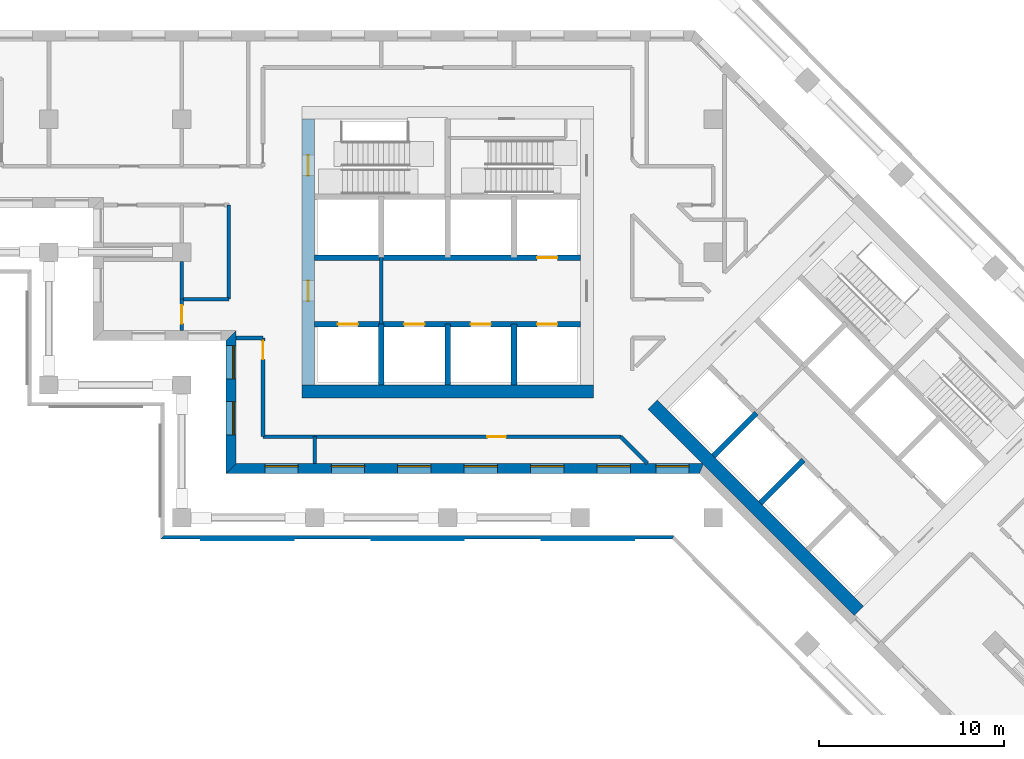
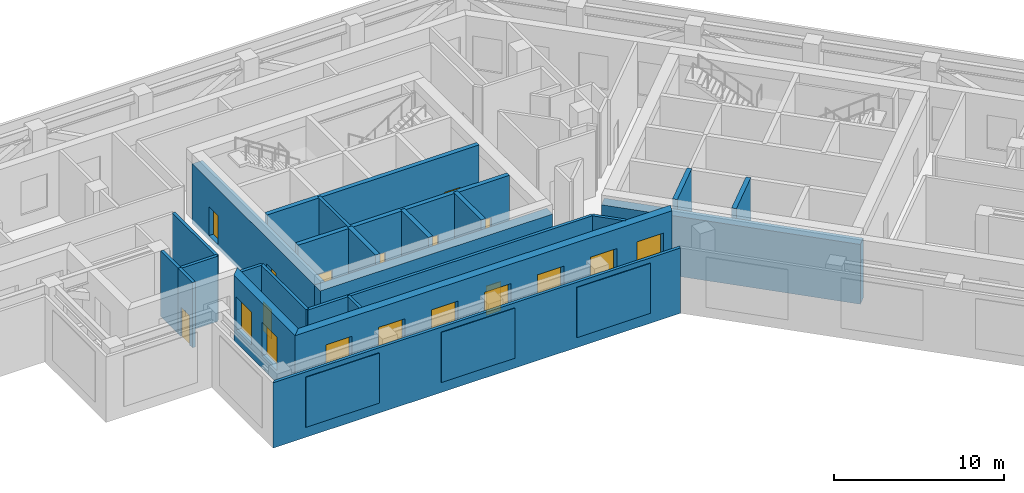
# One storey, part 3 of 9: 23 walls, 10 doors, 9 windows, 3 plates, 19 openings.
"""IFC4 building model written with IfcOpenShell, lengths in metres."""

from ifc_helpers import new_model, si_unit, direction, frame, frame_2d, origin, place, context, subcontext, project, spatial, polyline, rectangle, outline, extrude, material, layer, layer_set, type_object, element, fill, aggregate, save


model = new_model("IFC4")

# Units and contexts
model_context = context("Model", 3, precision=1e-05, world=origin(), true_north=direction((0.0, 1.0)))
body_context = subcontext(model_context, "Body", "Model", "MODEL_VIEW")
ifc_project = project(units=[si_unit("LENGTHUNIT", "METRE"), si_unit("AREAUNIT", "SQUARE_METRE"), si_unit("VOLUMEUNIT", "CUBIC_METRE"), si_unit("PLANEANGLEUNIT", "RADIAN"), si_unit("MASSUNIT", "GRAM", prefix="KILO")], contexts=[model_context])

# Plate
ifc_material_1 = material(Name="Aluminium louvre", Category="aluminium")
ifc_layer_1 = layer(ifc_material_1, 0.05)
ifc_layer_set_1 = layer_set([ifc_layer_1], Name="Belt louvre panel 5000x3600")
plate_type = type_object("IfcPlateType", Name="Belt louvre panel 5000x3600", PredefinedType="SHEET", material=ifc_layer_set_1)
site_placement = place(None, origin())
building_placement = place(site_placement, origin())
storey_placement = place(building_placement, frame((0.0, 0.0, 126.2)))
plate_1_placement = place(storey_placement, frame((51.4613, 42.0, 0.75), z_axis=(0.0, -1.0, 0.0), x_axis=(1.0, 0.0, 0.0)))
plate_1 = element("IfcPlate", 1, at=plate_1_placement, type_object=plate_type, Name="Belt louvre panel L34 67.1", PredefinedType="SHEET", context=body_context, shape_type="SweptSolid", body=[
    extrude(outline(polyline([(0.0, 0.0), (5.0, 0.0), (5.0, 3.6), (0.0, 3.6), (0.0, 0.0)])), origin(), (0.0, 0.0, -1.0), 0.05),
])

plate_2_placement = place(storey_placement, frame((60.684, 42.0, 0.75), z_axis=(0.0, -1.0, 0.0), x_axis=(1.0, 0.0, 0.0)))
plate_2 = element("IfcPlate", 2, at=plate_2_placement, type_object=plate_type, Name="Belt louvre panel L34 68.2", PredefinedType="SHEET", context=body_context, shape_type="SweptSolid", body=[
    extrude(outline(polyline([(0.0, 0.0), (5.0, 0.0), (5.0, 3.6), (0.0, 3.6), (0.0, 0.0)])), origin(), (0.0, 0.0, -1.0), 0.05),
])

plate_3_placement = place(storey_placement, frame((69.9067, 42.0, 0.75), z_axis=(0.0, -1.0, 0.0), x_axis=(1.0, 0.0, 0.0)))
plate_3 = element("IfcPlate", 3, at=plate_3_placement, type_object=plate_type, Name="Belt louvre panel L34 69.3", PredefinedType="SHEET", context=body_context, shape_type="SweptSolid", body=[
    extrude(outline(polyline([(0.0, 0.0), (5.0, 0.0), (5.0, 3.6), (0.0, 3.6), (0.0, 0.0)])), origin(), (0.0, 0.0, -1.0), 0.05),
])

# Site, building, storey
site = spatial("IfcSite", under=ifc_project, at=site_placement, CompositionType="ELEMENT")
building = spatial("IfcBuilding", under=site, at=building_placement, Name="Windrow Commons", CompositionType="ELEMENT")
storey = spatial("IfcBuildingStorey", under=building, at=storey_placement, Name="L34", CompositionType="ELEMENT", Elevation=126.2)

# Wall
ifc_material_2 = material(Name="Concrete C40/50 precast screen panel", Category="concrete")
ifc_layer_2 = layer(ifc_material_2, 0.2)
ifc_layer_set_2 = layer_set([ifc_layer_2], Name="Belt screen wall 200")
wall_type_1 = type_object("IfcWallType", Name="Belt screen wall 200", PredefinedType="SOLIDWALL", material=ifc_layer_set_2)
wall_1_placement = place(storey_placement, frame((49.35, 42.15, 0.0), z_axis=(0.0, 0.0, 1.0), x_axis=(1.0, 0.0, 0.0)))
wall_1 = element("IfcWall", 4, at=wall_1_placement, inside=storey, type_object=wall_type_1, Name="Belt screen wall L34 67", PredefinedType="SOLIDWALL", context=body_context, shape_type="SweptSolid", body=[
    extrude(outline(polyline([(-0.1, -0.1), (27.6266, -0.1), (27.7095, 0.1), (0.1, 0.1), (-0.1, -0.1)])), origin(), (0.0, 0.0, 1.0), 4.7),
])

aggregate(wall_1, [plate_1, plate_2, plate_3])

# Wall, openings, windows
ifc_material_3 = material(Name="Brick masonry, red clay brick", Category="masonry")
ifc_layer_3 = layer(ifc_material_3, 0.55)
ifc_layer_set_3 = layer_set([ifc_layer_3], Name="Brick facade wall 550")
wall_type_2 = type_object("IfcWallType", Name="Brick facade wall 550", PredefinedType="SOLIDWALL", material=ifc_layer_set_3)
wall_2_placement = place(storey_placement, frame((53.075, 53.075, 0.0), z_axis=(0.0, 0.0, 1.0), x_axis=(0.0, -1.0, 0.0)))
wall_2 = element("IfcWall", 5, at=wall_2_placement, inside=storey, type_object=wall_type_2, Name="Brick facade wall L34 11", PredefinedType="SOLIDWALL", context=body_context, shape_type="SweptSolid", body=[
    extrude(outline(polyline([(0.275, -0.275), (7.475, -0.275), (6.925, 0.275), (-0.275, 0.275), (0.275, -0.275)])), origin(), (0.0, 0.0, 1.0), 4.7),
])
opening_1_placement = place(wall_2_placement, frame((0.5375, 0.0, 0.9)))
opening_1 = element("IfcOpeningElement", 6, at=opening_1_placement, cuts=wall_2, Name="Opening LV1", PredefinedType="OPENING", context=body_context, shape_type="SweptSolid", body=[
    extrude(rectangle(XDim=1.8, YDim=2.4, at=frame_2d((0.9, 1.2))), frame((0.0, 0.285, 0.0), z_axis=(0.0, -1.0, 0.0), x_axis=(1.0, 0.0, 0.0)), (0.0, 0.0, 1.0), 0.57),
])
opening_2_placement = place(wall_2_placement, frame((3.575, 0.0, 0.9)))
opening_2 = element("IfcOpeningElement", 7, at=opening_2_placement, cuts=wall_2, Name="Opening LV1", PredefinedType="OPENING", context=body_context, shape_type="SweptSolid", body=[
    extrude(rectangle(XDim=1.8, YDim=2.4, at=frame_2d((0.9, 1.2))), frame((0.0, 0.285, 0.0), z_axis=(0.0, -1.0, 0.0), x_axis=(1.0, 0.0, 0.0)), (0.0, 0.0, 1.0), 0.57),
])
ifc_material_4 = material(Name="Aluminium 6063-T6 anodised louvre", Category="aluminium")
window_type = type_object("IfcWindowType", Name="Plant louvre 1800x2400", PartitioningType="SINGLE_PANEL", PredefinedType="WINDOW", material=ifc_material_4)
window_1_placement = place(opening_1_placement, origin())
window_1 = element("IfcWindow", 8, at=window_1_placement, inside=storey, type_object=window_type, Name="Louvre L34 11.1", OverallHeight=2.4, OverallWidth=1.8, PartitioningType="SINGLE_PANEL", PredefinedType="WINDOW", context=body_context, shape_type="SweptSolid", body=[
    extrude(rectangle(XDim=1.8, YDim=2.4, at=frame_2d((0.9, 1.2))), frame((0.0, 0.155, 0.0), z_axis=(0.0, -1.0, 0.0), x_axis=(1.0, 0.0, 0.0)), (0.0, 0.0, 1.0), 0.06),
])
fill(opening_1, window_1)
window_2_placement = place(opening_2_placement, origin())
window_2 = element("IfcWindow", 9, at=window_2_placement, inside=storey, type_object=window_type, Name="Louvre L34 11.2", OverallHeight=2.4, OverallWidth=1.8, PartitioningType="SINGLE_PANEL", PredefinedType="WINDOW", context=body_context, shape_type="SweptSolid", body=[
    extrude(rectangle(XDim=1.8, YDim=2.4, at=frame_2d((0.9, 1.2))), frame((0.0, 0.155, 0.0), z_axis=(0.0, -1.0, 0.0), x_axis=(1.0, 0.0, 0.0)), (0.0, 0.0, 1.0), 0.06),
])
fill(opening_2, window_2)

wall_3_placement = place(storey_placement, frame((53.075, 45.875, 0.0), z_axis=(0.0, 0.0, 1.0), x_axis=(1.0, 0.0, 0.0)))
wall_3 = element("IfcWall", 10, at=wall_3_placement, inside=storey, type_object=wall_type_2, Name="Brick facade wall L34 12", PredefinedType="SOLIDWALL", context=body_context, shape_type="SweptSolid", body=[
    extrude(outline(polyline([(-0.275, -0.275), (25.3721, -0.275), (25.5999, 0.275), (0.275, 0.275), (-0.275, -0.275)])), origin(), (0.0, 0.0, 1.0), 4.7),
])
opening_3_placement = place(wall_3_placement, frame((1.825, 0.0, 0.9)))
opening_3 = element("IfcOpeningElement", 11, at=opening_3_placement, cuts=wall_3, Name="Opening LV1", PredefinedType="OPENING", context=body_context, shape_type="SweptSolid", body=[
    extrude(rectangle(XDim=1.8, YDim=2.4, at=frame_2d((0.9, 1.2))), frame((0.0, 0.285, 0.0), z_axis=(0.0, -1.0, 0.0), x_axis=(1.0, 0.0, 0.0)), (0.0, 0.0, 1.0), 0.57),
])
opening_4_placement = place(wall_3_placement, frame((5.425, 0.0, 0.9)))
opening_4 = element("IfcOpeningElement", 12, at=opening_4_placement, cuts=wall_3, Name="Opening LV1", PredefinedType="OPENING", context=body_context, shape_type="SweptSolid", body=[
    extrude(rectangle(XDim=1.8, YDim=2.4, at=frame_2d((0.9, 1.2))), frame((0.0, 0.285, 0.0), z_axis=(0.0, -1.0, 0.0), x_axis=(1.0, 0.0, 0.0)), (0.0, 0.0, 1.0), 0.57),
])
opening_5_placement = place(wall_3_placement, frame((9.025, 0.0, 0.9)))
opening_5 = element("IfcOpeningElement", 13, at=opening_5_placement, cuts=wall_3, Name="Opening LV1", PredefinedType="OPENING", context=body_context, shape_type="SweptSolid", body=[
    extrude(rectangle(XDim=1.8, YDim=2.4, at=frame_2d((0.9, 1.2))), frame((0.0, 0.285, 0.0), z_axis=(0.0, -1.0, 0.0), x_axis=(1.0, 0.0, 0.0)), (0.0, 0.0, 1.0), 0.57),
])
opening_6_placement = place(wall_3_placement, frame((12.625, 0.0, 0.9)))
opening_6 = element("IfcOpeningElement", 14, at=opening_6_placement, cuts=wall_3, Name="Opening LV1", PredefinedType="OPENING", context=body_context, shape_type="SweptSolid", body=[
    extrude(rectangle(XDim=1.8, YDim=2.4, at=frame_2d((0.9, 1.2))), frame((0.0, 0.285, 0.0), z_axis=(0.0, -1.0, 0.0), x_axis=(1.0, 0.0, 0.0)), (0.0, 0.0, 1.0), 0.57),
])
opening_7_placement = place(wall_3_placement, frame((16.225, 0.0, 0.9)))
opening_7 = element("IfcOpeningElement", 15, at=opening_7_placement, cuts=wall_3, Name="Opening LV1", PredefinedType="OPENING", context=body_context, shape_type="SweptSolid", body=[
    extrude(rectangle(XDim=1.8, YDim=2.4, at=frame_2d((0.9, 1.2))), frame((0.0, 0.285, 0.0), z_axis=(0.0, -1.0, 0.0), x_axis=(1.0, 0.0, 0.0)), (0.0, 0.0, 1.0), 0.57),
])
opening_8_placement = place(wall_3_placement, frame((19.825, 0.0, 0.9)))
opening_8 = element("IfcOpeningElement", 16, at=opening_8_placement, cuts=wall_3, Name="Opening LV1", PredefinedType="OPENING", context=body_context, shape_type="SweptSolid", body=[
    extrude(rectangle(XDim=1.8, YDim=2.4, at=frame_2d((0.9, 1.2))), frame((0.0, 0.285, 0.0), z_axis=(0.0, -1.0, 0.0), x_axis=(1.0, 0.0, 0.0)), (0.0, 0.0, 1.0), 0.57),
])
opening_9_placement = place(wall_3_placement, frame((23.0055, 0.0, 0.9)))
opening_9 = element("IfcOpeningElement", 17, at=opening_9_placement, cuts=wall_3, Name="Opening LV1", PredefinedType="OPENING", context=body_context, shape_type="SweptSolid", body=[
    extrude(rectangle(XDim=1.8, YDim=2.4, at=frame_2d((0.9, 1.2))), frame((0.0, 0.285, 0.0), z_axis=(0.0, -1.0, 0.0), x_axis=(1.0, 0.0, 0.0)), (0.0, 0.0, 1.0), 0.57),
])
window_3_placement = place(opening_3_placement, origin())
window_3 = element("IfcWindow", 18, at=window_3_placement, inside=storey, type_object=window_type, Name="Louvre L34 12.1", OverallHeight=2.4, OverallWidth=1.8, PartitioningType="SINGLE_PANEL", PredefinedType="WINDOW", context=body_context, shape_type="SweptSolid", body=[
    extrude(rectangle(XDim=1.8, YDim=2.4, at=frame_2d((0.9, 1.2))), frame((0.0, 0.155, 0.0), z_axis=(0.0, -1.0, 0.0), x_axis=(1.0, 0.0, 0.0)), (0.0, 0.0, 1.0), 0.06),
])
fill(opening_3, window_3)
window_4_placement = place(opening_4_placement, origin())
window_4 = element("IfcWindow", 19, at=window_4_placement, inside=storey, type_object=window_type, Name="Louvre L34 12.2", OverallHeight=2.4, OverallWidth=1.8, PartitioningType="SINGLE_PANEL", PredefinedType="WINDOW", context=body_context, shape_type="SweptSolid", body=[
    extrude(rectangle(XDim=1.8, YDim=2.4, at=frame_2d((0.9, 1.2))), frame((0.0, 0.155, 0.0), z_axis=(0.0, -1.0, 0.0), x_axis=(1.0, 0.0, 0.0)), (0.0, 0.0, 1.0), 0.06),
])
fill(opening_4, window_4)
window_5_placement = place(opening_5_placement, origin())
window_5 = element("IfcWindow", 20, at=window_5_placement, inside=storey, type_object=window_type, Name="Louvre L34 12.3", OverallHeight=2.4, OverallWidth=1.8, PartitioningType="SINGLE_PANEL", PredefinedType="WINDOW", context=body_context, shape_type="SweptSolid", body=[
    extrude(rectangle(XDim=1.8, YDim=2.4, at=frame_2d((0.9, 1.2))), frame((0.0, 0.155, 0.0), z_axis=(0.0, -1.0, 0.0), x_axis=(1.0, 0.0, 0.0)), (0.0, 0.0, 1.0), 0.06),
])
fill(opening_5, window_5)
window_6_placement = place(opening_6_placement, origin())
window_6 = element("IfcWindow", 21, at=window_6_placement, inside=storey, type_object=window_type, Name="Louvre L34 12.4", OverallHeight=2.4, OverallWidth=1.8, PartitioningType="SINGLE_PANEL", PredefinedType="WINDOW", context=body_context, shape_type="SweptSolid", body=[
    extrude(rectangle(XDim=1.8, YDim=2.4, at=frame_2d((0.9, 1.2))), frame((0.0, 0.155, 0.0), z_axis=(0.0, -1.0, 0.0), x_axis=(1.0, 0.0, 0.0)), (0.0, 0.0, 1.0), 0.06),
])
fill(opening_6, window_6)
window_7_placement = place(opening_7_placement, origin())
window_7 = element("IfcWindow", 22, at=window_7_placement, inside=storey, type_object=window_type, Name="Louvre L34 12.5", OverallHeight=2.4, OverallWidth=1.8, PartitioningType="SINGLE_PANEL", PredefinedType="WINDOW", context=body_context, shape_type="SweptSolid", body=[
    extrude(rectangle(XDim=1.8, YDim=2.4, at=frame_2d((0.9, 1.2))), frame((0.0, 0.155, 0.0), z_axis=(0.0, -1.0, 0.0), x_axis=(1.0, 0.0, 0.0)), (0.0, 0.0, 1.0), 0.06),
])
fill(opening_7, window_7)
window_8_placement = place(opening_8_placement, origin())
window_8 = element("IfcWindow", 23, at=window_8_placement, inside=storey, type_object=window_type, Name="Louvre L34 12.6", OverallHeight=2.4, OverallWidth=1.8, PartitioningType="SINGLE_PANEL", PredefinedType="WINDOW", context=body_context, shape_type="SweptSolid", body=[
    extrude(rectangle(XDim=1.8, YDim=2.4, at=frame_2d((0.9, 1.2))), frame((0.0, 0.155, 0.0), z_axis=(0.0, -1.0, 0.0), x_axis=(1.0, 0.0, 0.0)), (0.0, 0.0, 1.0), 0.06),
])
fill(opening_8, window_8)
window_9_placement = place(opening_9_placement, origin())
window_9 = element("IfcWindow", 24, at=window_9_placement, inside=storey, type_object=window_type, Name="Louvre L34 12.7", OverallHeight=2.4, OverallWidth=1.8, PartitioningType="SINGLE_PANEL", PredefinedType="WINDOW", context=body_context, shape_type="SweptSolid", body=[
    extrude(rectangle(XDim=1.8, YDim=2.4, at=frame_2d((0.9, 1.2))), frame((0.0, 0.155, 0.0), z_axis=(0.0, -1.0, 0.0), x_axis=(1.0, 0.0, 0.0)), (0.0, 0.0, 1.0), 0.06),
])
fill(opening_9, window_9)

# Wall
ifc_material_5 = material(Name="Blockwork partition", Category="masonry")
ifc_layer_4 = layer(ifc_material_5, 0.2)
ifc_layer_set_4 = layer_set([ifc_layer_4], Name="Fire lobby partition 200")
wall_type_3 = type_object("IfcWallType", Name="Fire lobby partition 200", PredefinedType="PARTITIONING", material=ifc_layer_set_4)
wall_4_placement = place(storey_placement, frame((61.2, 53.7, 0.0), z_axis=(0.0, 0.0, 1.0), x_axis=(0.0, 1.0, 0.0)))
element("IfcWall", 25, at=wall_4_placement, inside=storey, type_object=wall_type_3, Name="W-core-lobby-A-L34", PredefinedType="PARTITIONING", context=body_context, shape_type="SweptSolid", body=[
    extrude(rectangle(XDim=3.6, YDim=0.2, at=frame_2d((1.8, 0.0))), origin(), (0.0, 0.0, 1.0), 4.7),
])

# Wall, opening, door
ifc_material_6 = material(Name="Blockwork partition", Category="masonry")
ifc_layer_5 = layer(ifc_material_6, 0.2)
ifc_layer_set_5 = layer_set([ifc_layer_5], Name="IW-CORRIDOR-200")
wall_type_4 = type_object("IfcWallType", Name="IW-CORRIDOR-200", PredefinedType="PARTITIONING", material=ifc_layer_set_5)
wall_5_placement = place(storey_placement, frame((54.8, 47.6, 0.0), z_axis=(0.0, 0.0, 1.0), x_axis=(1.0, 0.0, 0.0)))
wall_5 = element("IfcWall", 26, at=wall_5_placement, inside=storey, type_object=wall_type_4, Name="W-L34-W001", PredefinedType="PARTITIONING", context=body_context, shape_type="SweptSolid", body=[
    extrude(rectangle(XDim=19.384, YDim=0.2, at=frame_2d((9.692, 0.0))), origin(), (0.0, 0.0, 1.0), 4.7),
])
opening_10_placement = place(wall_5_placement, frame((12.1557, 0.0, 0.0)))
opening_10 = element("IfcOpeningElement", 27, at=opening_10_placement, cuts=wall_5, Name="Opening D410F", PredefinedType="OPENING", context=body_context, shape_type="SweptSolid", body=[
    extrude(rectangle(XDim=1.0, YDim=2.1, at=frame_2d((0.5, 1.05))), frame((0.0, 0.11, 0.0), z_axis=(0.0, -1.0, 0.0), x_axis=(1.0, 0.0, 0.0)), (0.0, 0.0, 1.0), 0.22),
])
ifc_material_7 = material(Name="Timber door leaf", Category="wood")
door_type_1 = type_object("IfcDoorType", Name="DT-SERVICE-1000", OperationType="SINGLE_SWING_LEFT", PredefinedType="DOOR", material=ifc_material_7)
door_1_placement = place(opening_10_placement, origin())
door_1 = element("IfcDoor", 28, at=door_1_placement, inside=storey, type_object=door_type_1, Name="D-L34-D001", OperationType="SINGLE_SWING_LEFT", OverallHeight=2.1, OverallWidth=1.0, PredefinedType="DOOR", context=body_context, shape_type="SweptSolid", body=[
    extrude(rectangle(XDim=1.0, YDim=2.1, at=frame_2d((0.5, 1.05))), frame((0.0, 0.025, 0.0), z_axis=(0.0, -1.0, 0.0), x_axis=(1.0, 0.0, 0.0)), (0.0, 0.0, 1.0), 0.05),
])
fill(opening_10, door_1)

wall_6_placement = place(storey_placement, frame((54.8, 47.6, 0.0), z_axis=(0.0, 0.0, 1.0), x_axis=(0.0, 1.0, 0.0)))
wall_6 = element("IfcWall", 29, at=wall_6_placement, inside=storey, type_object=wall_type_4, Name="W-L34-W012", PredefinedType="PARTITIONING", context=body_context, shape_type="SweptSolid", body=[
    extrude(rectangle(XDim=5.35, YDim=0.2, at=frame_2d((2.675, 0.0))), origin(), (0.0, 0.0, 1.0), 4.7),
])
opening_11_placement = place(wall_6_placement, frame((4.187, 0.0, 0.0)))
opening_11 = element("IfcOpeningElement", 30, at=opening_11_placement, cuts=wall_6, Name="Opening D410F", PredefinedType="OPENING", context=body_context, shape_type="SweptSolid", body=[
    extrude(rectangle(XDim=1.0, YDim=2.1, at=frame_2d((0.5, 1.05))), frame((0.0, 0.11, 0.0), z_axis=(0.0, -1.0, 0.0), x_axis=(1.0, 0.0, 0.0)), (0.0, 0.0, 1.0), 0.22),
])
door_2_placement = place(opening_11_placement, origin())
door_2 = element("IfcDoor", 31, at=door_2_placement, inside=storey, type_object=door_type_1, Name="D-L34-D000", OperationType="SINGLE_SWING_RIGHT", OverallHeight=2.1, OverallWidth=1.0, PredefinedType="DOOR", context=body_context, shape_type="SweptSolid", body=[
    extrude(rectangle(XDim=1.0, YDim=2.1, at=frame_2d((0.5, 1.05))), frame((0.0, 0.025, 0.0), z_axis=(0.0, -1.0, 0.0), x_axis=(1.0, 0.0, 0.0)), (0.0, 0.0, 1.0), 0.05),
])
fill(opening_11, door_2)

# Walls
wall_7_placement = place(storey_placement, frame((52.95, 55.052, 0.0), z_axis=(0.0, 0.0, 1.0), x_axis=(0.0, 1.0, 0.0)))
element("IfcWall", 32, at=wall_7_placement, inside=storey, type_object=wall_type_4, Name="W-L34-W014", PredefinedType="PARTITIONING", context=body_context, shape_type="SweptSolid", body=[
    extrude(rectangle(XDim=5.098, YDim=0.2, at=frame_2d((2.549, 0.0))), origin(), (0.0, 0.0, 1.0), 4.7),
])
wall_8_placement = place(storey_placement, frame((50.4, 55.05, 0.0), z_axis=(0.0, 0.0, 1.0), x_axis=(1.0, 0.0, 0.0)))
element("IfcWall", 33, at=wall_8_placement, inside=storey, type_object=wall_type_4, Name="W-L34-W031", PredefinedType="PARTITIONING", context=body_context, shape_type="SweptSolid", body=[
    extrude(rectangle(XDim=2.55, YDim=0.2, at=frame_2d((1.275, 0.0))), origin(), (0.0, 0.0, 1.0), 4.7),
])
wall_9_placement = place(storey_placement, frame((74.181, 47.597, 0.0), z_axis=(0.0, 0.0, 1.0), x_axis=(0.7070823464, -0.7071312152, 0.0)))
element("IfcWall", 34, at=wall_9_placement, inside=storey, type_object=wall_type_4, Name="W-L34-W038", PredefinedType="PARTITIONING", context=body_context, shape_type="SweptSolid", body=[
    extrude(rectangle(XDim=2.0463, YDim=0.2, at=frame_2d((1.0232, 0.0))), origin(), (0.0, 0.0, 1.0), 4.7),
])

# Wall, opening, door
wall_10_placement = place(storey_placement, frame((50.4, 53.35, 0.0), z_axis=(0.0, 0.0, 1.0), x_axis=(0.0, 1.0, 0.0)))
wall_10 = element("IfcWall", 35, at=wall_10_placement, inside=storey, type_object=wall_type_4, Name="W-L34-W045", PredefinedType="PARTITIONING", context=body_context, shape_type="SweptSolid", body=[
    extrude(rectangle(XDim=1.7, YDim=0.2, at=frame_2d((0.85, 0.0))), origin(), (0.0, 0.0, 1.0), 4.7),
])
opening_12_placement = place(wall_10_placement, frame((0.3695, 0.0, 0.0)))
opening_12 = element("IfcOpeningElement", 36, at=opening_12_placement, cuts=wall_10, Name="Opening D310N", PredefinedType="OPENING", context=body_context, shape_type="SweptSolid", body=[
    extrude(rectangle(XDim=1.0, YDim=2.1, at=frame_2d((0.5, 1.05))), frame((0.0, 0.11, 0.0), z_axis=(0.0, -1.0, 0.0), x_axis=(1.0, 0.0, 0.0)), (0.0, 0.0, 1.0), 0.22),
])
ifc_material_8 = material(Name="Timber door leaf", Category="wood")
door_type_2 = type_object("IfcDoorType", Name="DT-AMENITY-1000", OperationType="SINGLE_SWING_LEFT", PredefinedType="DOOR", material=ifc_material_8)
door_3_placement = place(opening_12_placement, origin())
door_3 = element("IfcDoor", 37, at=door_3_placement, inside=storey, type_object=door_type_2, Name="D-L34-DX01", OperationType="SINGLE_SWING_LEFT", OverallHeight=2.1, OverallWidth=1.0, PredefinedType="DOOR", context=body_context, shape_type="SweptSolid", body=[
    extrude(rectangle(XDim=1.0, YDim=2.1, at=frame_2d((0.5, 1.05))), frame((0.0, 0.025, 0.0), z_axis=(0.0, -1.0, 0.0), x_axis=(1.0, 0.0, 0.0)), (0.0, 0.0, 1.0), 0.05),
])
fill(opening_12, door_3)

# Walls
wall_11_placement = place(storey_placement, frame((53.35, 52.95, 0.0), z_axis=(0.0, 0.0, 1.0), x_axis=(1.0, 0.0, 0.0)))
element("IfcWall", 38, at=wall_11_placement, inside=storey, type_object=wall_type_4, Name="W-L34-W048", PredefinedType="PARTITIONING", context=body_context, shape_type="SweptSolid", body=[
    extrude(rectangle(XDim=1.45, YDim=0.2, at=frame_2d((0.725, 0.0))), origin(), (0.0, 0.0, 1.0), 4.7),
])
ifc_material_9 = material(Name="Blockwork partition", Category="masonry")
ifc_layer_6 = layer(ifc_material_9, 0.2)
ifc_layer_set_6 = layer_set([ifc_layer_6], Name="IW-PARTY-200")
wall_type_5 = type_object("IfcWallType", Name="IW-PARTY-200", PredefinedType="PARTITIONING", material=ifc_layer_set_6)
wall_12_placement = place(storey_placement, frame((50.4, 55.05, 0.0), z_axis=(0.0, 0.0, 1.0), x_axis=(0.0, 1.0, 0.0)))
element("IfcWall", 39, at=wall_12_placement, inside=storey, type_object=wall_type_5, Name="W-L34-W034", PredefinedType="PARTITIONING", context=body_context, shape_type="SweptSolid", body=[
    extrude(rectangle(XDim=2.05, YDim=0.2, at=frame_2d((1.025, 0.0))), origin(), (0.0, 0.0, 1.0), 4.7),
])
wall_13_placement = place(storey_placement, frame((57.6, 46.15, 0.0), z_axis=(0.0, 0.0, 1.0), x_axis=(0.0, 1.0, 0.0)))
element("IfcWall", 40, at=wall_13_placement, inside=storey, type_object=wall_type_5, Name="W-L34-W049", PredefinedType="PARTITIONING", context=body_context, shape_type="SweptSolid", body=[
    extrude(rectangle(XDim=1.45, YDim=0.2, at=frame_2d((0.725, 0.0))), origin(), (0.0, 0.0, 1.0), 4.7),
])
ifc_material_10 = material(Name="Concrete C50/60", Category="concrete")
ifc_layer_7 = layer(ifc_material_10, 0.7)
ifc_layer_set_7 = layer_set([ifc_layer_7], Name="RC CORE WALL 700 C50/60")
wall_type_6 = type_object("IfcWallType", Name="RC CORE WALL 700 C50/60", PredefinedType="SHEAR", material=ifc_layer_set_7)
wall_14_placement = place(storey_placement, frame((56.9, 50.05, -0.3), z_axis=(0.0, 0.0, 1.0), x_axis=(1.0, 0.0, 0.0)))
element("IfcWall", 41, at=wall_14_placement, inside=storey, type_object=wall_type_6, Name="Core A wall outer-S", PredefinedType="SHEAR", context=body_context, shape_type="SweptSolid", body=[
    extrude(rectangle(XDim=15.8, YDim=0.7, at=frame_2d((7.9, 0.0))), origin(), (0.0, 0.0, 1.0), 4.3),
])

# Wall, openings, doors
wall_15_placement = place(storey_placement, frame((57.25, 50.4, -0.3), z_axis=(0.0, 0.0, 1.0), x_axis=(0.0, 1.0, 0.0)))
wall_15 = element("IfcWall", 42, at=wall_15_placement, inside=storey, type_object=wall_type_6, Name="Core A wall outer-W", PredefinedType="SHEAR", context=body_context, shape_type="SweptSolid", body=[
    extrude(rectangle(XDim=14.4, YDim=0.7, at=frame_2d((7.2, 0.0))), origin(), (0.0, 0.0, 1.0), 4.3),
])
opening_13_placement = place(wall_15_placement, frame((4.55, 0.0, 0.3)))
opening_13 = element("IfcOpeningElement", 43, at=opening_13_placement, cuts=wall_15, Name="Opening D6", PredefinedType="OPENING", context=body_context, shape_type="SweptSolid", body=[
    extrude(rectangle(XDim=1.1, YDim=2.1, at=frame_2d((0.55, 1.05))), frame((0.0, 0.36, 0.0), z_axis=(0.0, -1.0, 0.0), x_axis=(1.0, 0.0, 0.0)), (0.0, 0.0, 1.0), 0.72),
])
opening_14_placement = place(wall_15_placement, frame((11.35, 0.0, 0.3)))
opening_14 = element("IfcOpeningElement", 44, at=opening_14_placement, cuts=wall_15, Name="Opening D7", PredefinedType="OPENING", context=body_context, shape_type="SweptSolid", body=[
    extrude(rectangle(XDim=1.1, YDim=2.1, at=frame_2d((0.55, 1.05))), frame((0.0, 0.36, 0.0), z_axis=(0.0, -1.0, 0.0), x_axis=(1.0, 0.0, 0.0)), (0.0, 0.0, 1.0), 0.72),
])
ifc_material_11 = material(Name="Steel fire door leaf", Category="steel")
door_type_3 = type_object("IfcDoorType", Name="Core lobby door 1100", OperationType="SINGLE_SWING_LEFT", PredefinedType="DOOR", material=ifc_material_11)
door_4_placement = place(opening_13_placement, origin())
door_4 = element("IfcDoor", 45, at=door_4_placement, inside=storey, type_object=door_type_3, Name="Lift lobby door", OperationType="DOUBLE_DOOR_SINGLE_SWING", OverallHeight=2.1, OverallWidth=1.1, PredefinedType="DOOR", context=body_context, shape_type="SweptSolid", body=[
    extrude(rectangle(XDim=1.1, YDim=2.1, at=frame_2d((0.55, 1.05))), frame((0.0, 0.025, 0.0), z_axis=(0.0, -1.0, 0.0), x_axis=(1.0, 0.0, 0.0)), (0.0, 0.0, 1.0), 0.05),
])
fill(opening_13, door_4)
ifc_material_12 = material(Name="Steel fire door leaf", Category="steel")
door_type_4 = type_object("IfcDoorType", Name="Stair door 1100", OperationType="SINGLE_SWING_LEFT", PredefinedType="DOOR", material=ifc_material_12)
door_5_placement = place(opening_14_placement, origin())
door_5 = element("IfcDoor", 46, at=door_5_placement, inside=storey, type_object=door_type_4, Name="Stair door", OperationType="SINGLE_SWING_LEFT", OverallHeight=2.1, OverallWidth=1.1, PredefinedType="DOOR", context=body_context, shape_type="SweptSolid", body=[
    extrude(rectangle(XDim=1.1, YDim=2.1, at=frame_2d((0.55, 1.05))), frame((0.0, 0.025, 0.0), z_axis=(0.0, -1.0, 0.0), x_axis=(1.0, 0.0, 0.0)), (0.0, 0.0, 1.0), 0.05),
])
fill(opening_14, door_5)

# Walls
wall_16_placement = place(storey_placement, frame((75.912, 49.3372, -0.3), z_axis=(0.0, 0.0, 1.0), x_axis=(0.7071036166, -0.7071099457, 0.0)))
element("IfcWall", 47, at=wall_16_placement, inside=storey, type_object=wall_type_6, Name="Core B wall outer-S", PredefinedType="SHEAR", context=body_context, shape_type="SweptSolid", body=[
    extrude(rectangle(XDim=15.7999, YDim=0.7, at=frame_2d((7.8999, 0.0))), origin(), (0.0, 0.0, 1.0), 4.3),
])
ifc_material_13 = material(Name="Concrete C50/60", Category="concrete")
ifc_layer_8 = layer(ifc_material_13, 0.3)
ifc_layer_set_8 = layer_set([ifc_layer_8], Name="RC SHAFT WALL 300 C50/60")
wall_type_7 = type_object("IfcWallType", Name="RC SHAFT WALL 300 C50/60", PredefinedType="SOLIDWALL", material=ifc_layer_set_8)
for number, where, z_axis, x_axis, name in (
    (48, (61.2, 50.4, 0.0), (0.0, 0.0, 1.0), (0.0, 1.0, 0.0), "Core A wall shaft-S1"),
    (49, (64.8, 50.4, 0.0), (0.0, 0.0, 1.0), (0.0, 1.0, 0.0), "Core A wall shaft-S2"),
    (50, (68.4, 50.4, 0.0), (0.0, 0.0, 1.0), (0.0, 1.0, 0.0), "Core A wall shaft-S3"),
):
    element("IfcWall", number, at=place(storey_placement, frame(where, z_axis=z_axis, x_axis=x_axis)), inside=storey, type_object=wall_type_7, Name=name, PredefinedType="SOLIDWALL", context=body_context, shape_type="SweptSolid", body=[
        extrude(rectangle(XDim=3.3, YDim=0.3, at=frame_2d((1.65, 0.0))), origin(), (0.0, 0.0, 1.0), 4.7),
    ])

# Wall, openings, doors
wall_17_placement = place(storey_placement, frame((57.6, 53.7, 0.0), z_axis=(0.0, 0.0, 1.0), x_axis=(1.0, 0.0, 0.0)))
wall_17 = element("IfcWall", 51, at=wall_17_placement, inside=storey, type_object=wall_type_7, Name="Core A wall lobby-S", PredefinedType="SOLIDWALL", context=body_context, shape_type="SweptSolid", body=[
    extrude(rectangle(XDim=14.4, YDim=0.3, at=frame_2d((7.2, 0.0))), origin(), (0.0, 0.0, 1.0), 4.7),
])
opening_15_placement = place(wall_17_placement, frame((1.25, 0.0, 0.0)))
opening_15 = element("IfcOpeningElement", 52, at=opening_15_placement, cuts=wall_17, Name="Opening LD", PredefinedType="OPENING", context=body_context, shape_type="SweptSolid", body=[
    extrude(rectangle(XDim=1.1, YDim=2.1, at=frame_2d((0.55, 1.05))), frame((0.0, 0.16, 0.0), z_axis=(0.0, -1.0, 0.0), x_axis=(1.0, 0.0, 0.0)), (0.0, 0.0, 1.0), 0.32),
])
opening_16_placement = place(wall_17_placement, frame((4.85, 0.0, 0.0)))
opening_16 = element("IfcOpeningElement", 53, at=opening_16_placement, cuts=wall_17, Name="Opening LD", PredefinedType="OPENING", context=body_context, shape_type="SweptSolid", body=[
    extrude(rectangle(XDim=1.1, YDim=2.1, at=frame_2d((0.55, 1.05))), frame((0.0, 0.16, 0.0), z_axis=(0.0, -1.0, 0.0), x_axis=(1.0, 0.0, 0.0)), (0.0, 0.0, 1.0), 0.32),
])
opening_17_placement = place(wall_17_placement, frame((8.45, 0.0, 0.0)))
opening_17 = element("IfcOpeningElement", 54, at=opening_17_placement, cuts=wall_17, Name="Opening LD", PredefinedType="OPENING", context=body_context, shape_type="SweptSolid", body=[
    extrude(rectangle(XDim=1.1, YDim=2.1, at=frame_2d((0.55, 1.05))), frame((0.0, 0.16, 0.0), z_axis=(0.0, -1.0, 0.0), x_axis=(1.0, 0.0, 0.0)), (0.0, 0.0, 1.0), 0.32),
])
opening_18_placement = place(wall_17_placement, frame((12.05, 0.0, 0.0)))
opening_18 = element("IfcOpeningElement", 55, at=opening_18_placement, cuts=wall_17, Name="Opening LD", PredefinedType="OPENING", context=body_context, shape_type="SweptSolid", body=[
    extrude(rectangle(XDim=1.1, YDim=2.1, at=frame_2d((0.55, 1.05))), frame((0.0, 0.16, 0.0), z_axis=(0.0, -1.0, 0.0), x_axis=(1.0, 0.0, 0.0)), (0.0, 0.0, 1.0), 0.32),
])
ifc_material_14 = material(Name="Stainless steel door leaf", Category="steel")
door_type_5 = type_object("IfcDoorType", Name="Lift landing door 1100", OperationType="SLIDING_TO_LEFT", PredefinedType="DOOR", material=ifc_material_14)
door_6_placement = place(opening_15_placement, origin())
door_6 = element("IfcDoor", 56, at=door_6_placement, inside=storey, type_object=door_type_5, Name="Lift landing door", OperationType="SLIDING_TO_LEFT", OverallHeight=2.1, OverallWidth=1.1, PredefinedType="DOOR", context=body_context, shape_type="SweptSolid", body=[
    extrude(rectangle(XDim=1.1, YDim=2.1, at=frame_2d((0.55, 1.05))), frame((0.0, 0.025, 0.0), z_axis=(0.0, -1.0, 0.0), x_axis=(1.0, 0.0, 0.0)), (0.0, 0.0, 1.0), 0.05),
])
fill(opening_15, door_6)
door_7_placement = place(opening_16_placement, origin())
door_7 = element("IfcDoor", 57, at=door_7_placement, inside=storey, type_object=door_type_5, Name="Lift landing door", OperationType="SLIDING_TO_RIGHT", OverallHeight=2.1, OverallWidth=1.1, PredefinedType="DOOR", context=body_context, shape_type="SweptSolid", body=[
    extrude(rectangle(XDim=1.1, YDim=2.1, at=frame_2d((0.55, 1.05))), frame((0.0, 0.025, 0.0), z_axis=(0.0, -1.0, 0.0), x_axis=(1.0, 0.0, 0.0)), (0.0, 0.0, 1.0), 0.05),
])
fill(opening_16, door_7)
door_8_placement = place(opening_17_placement, origin())
door_8 = element("IfcDoor", 58, at=door_8_placement, inside=storey, type_object=door_type_5, Name="Lift landing door", OperationType="SLIDING_TO_LEFT", OverallHeight=2.1, OverallWidth=1.1, PredefinedType="DOOR", context=body_context, shape_type="SweptSolid", body=[
    extrude(rectangle(XDim=1.1, YDim=2.1, at=frame_2d((0.55, 1.05))), frame((0.0, 0.025, 0.0), z_axis=(0.0, -1.0, 0.0), x_axis=(1.0, 0.0, 0.0)), (0.0, 0.0, 1.0), 0.05),
])
fill(opening_17, door_8)
door_9_placement = place(opening_18_placement, origin())
door_9 = element("IfcDoor", 59, at=door_9_placement, inside=storey, type_object=door_type_5, Name="Lift landing door", OperationType="SLIDING_TO_RIGHT", OverallHeight=2.1, OverallWidth=1.1, PredefinedType="DOOR", context=body_context, shape_type="SweptSolid", body=[
    extrude(rectangle(XDim=1.1, YDim=2.1, at=frame_2d((0.55, 1.05))), frame((0.0, 0.025, 0.0), z_axis=(0.0, -1.0, 0.0), x_axis=(1.0, 0.0, 0.0)), (0.0, 0.0, 1.0), 0.05),
])
fill(opening_18, door_9)

# Wall, opening, door
wall_18_placement = place(storey_placement, frame((57.6, 57.3, 0.0), z_axis=(0.0, 0.0, 1.0), x_axis=(1.0, 0.0, 0.0)))
wall_18 = element("IfcWall", 60, at=wall_18_placement, inside=storey, type_object=wall_type_7, Name="Core A wall lobby-N", PredefinedType="SOLIDWALL", context=body_context, shape_type="SweptSolid", body=[
    extrude(rectangle(XDim=14.4, YDim=0.3, at=frame_2d((7.2, 0.0))), origin(), (0.0, 0.0, 1.0), 4.7),
])
opening_19_placement = place(wall_18_placement, frame((12.05, 0.0, 0.0)))
opening_19 = element("IfcOpeningElement", 61, at=opening_19_placement, cuts=wall_18, Name="Opening LD", PredefinedType="OPENING", context=body_context, shape_type="SweptSolid", body=[
    extrude(rectangle(XDim=1.1, YDim=2.1, at=frame_2d((0.55, 1.05))), frame((0.0, 0.16, 0.0), z_axis=(0.0, -1.0, 0.0), x_axis=(1.0, 0.0, 0.0)), (0.0, 0.0, 1.0), 0.32),
])
door_10_placement = place(opening_19_placement, origin())
door_10 = element("IfcDoor", 62, at=door_10_placement, inside=storey, type_object=door_type_5, Name="Lift landing door", OperationType="SLIDING_TO_RIGHT", OverallHeight=2.1, OverallWidth=1.1, PredefinedType="DOOR", context=body_context, shape_type="SweptSolid", body=[
    extrude(rectangle(XDim=1.1, YDim=2.1, at=frame_2d((0.55, 1.05))), frame((0.0, 0.025, 0.0), z_axis=(0.0, -1.0, 0.0), x_axis=(1.0, 0.0, 0.0)), (0.0, 0.0, 1.0), 0.05),
])
fill(opening_19, door_10)

# Walls
wall_19_placement = place(storey_placement, frame((79.2, 46.5442, 0.0), z_axis=(0.0, 0.0, 1.0), x_axis=(0.7071219326, 0.7070916295, 0.0)))
element("IfcWall", 63, at=wall_19_placement, inside=storey, type_object=wall_type_7, Name="Core B wall shaft-S1", PredefinedType="SOLIDWALL", context=body_context, shape_type="SweptSolid", body=[
    extrude(rectangle(XDim=3.3, YDim=0.3, at=frame_2d((1.65, 0.0))), origin(), (0.0, 0.0, 1.0), 4.7),
])
wall_20_placement = place(storey_placement, frame((81.7456, 43.9986, 0.0), z_axis=(0.0, 0.0, 1.0), x_axis=(0.7071067812, 0.7071067812, 0.0)))
element("IfcWall", 64, at=wall_20_placement, inside=storey, type_object=wall_type_7, Name="Core B wall shaft-S2", PredefinedType="SOLIDWALL", context=body_context, shape_type="SweptSolid", body=[
    extrude(rectangle(XDim=3.2999, YDim=0.3, at=frame_2d((1.65, 0.0))), origin(), (0.0, 0.0, 1.0), 4.7),
])

save(model, "model.ifc")
